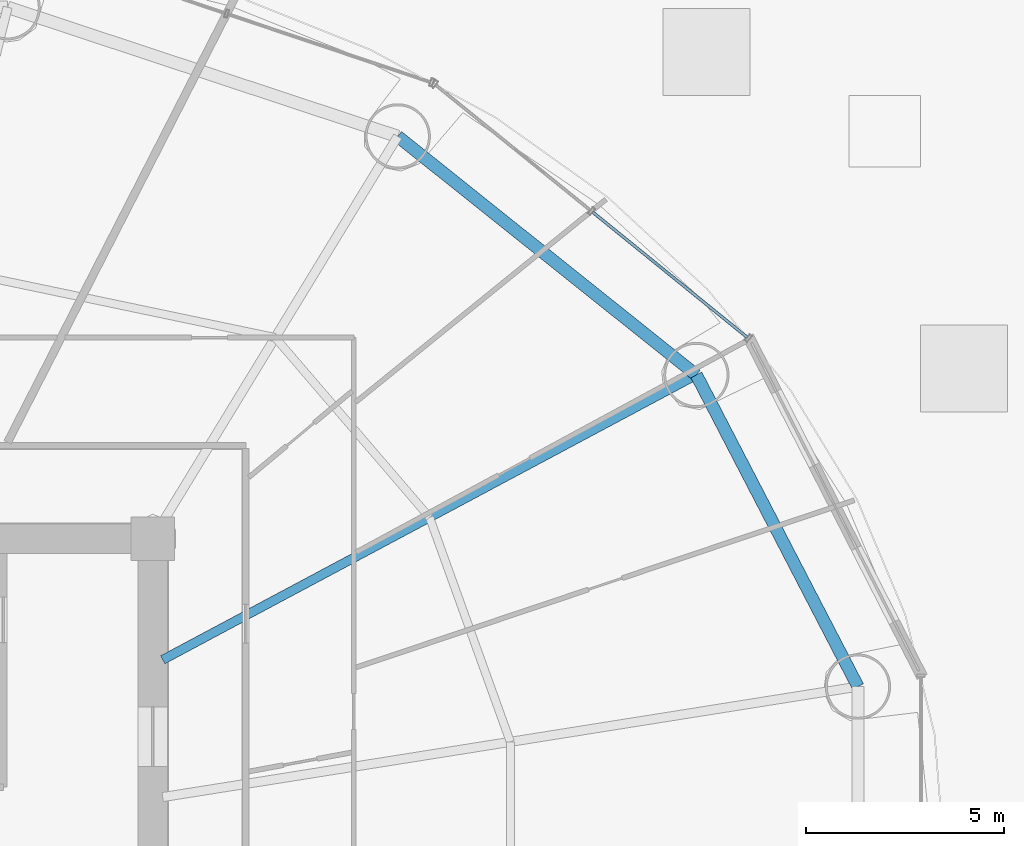
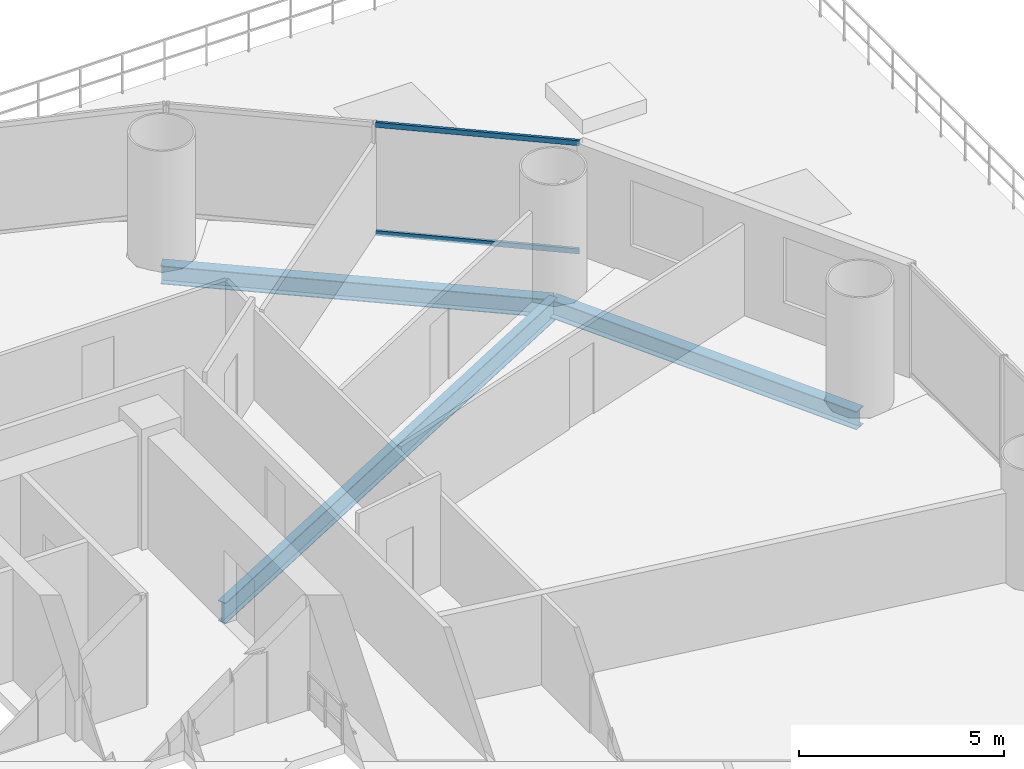
# One storey, part 27 of 37: 3 beams, 2 members, 1 element without a shape of its own.
"""IFC4 building model written with IfcOpenShell, lengths in metres."""

from ifc_helpers import new_model, si_unit, direction, frame, origin, origin_2d, place, context, subcontext, project, spatial, hollow_rectangle, i_section, extrude, source, transform, mapped, material, material_profile, profile_set, type_object, element, aggregate, save


model = new_model("IFC4")

# Units and contexts
model_context = context("Model", 3, precision=1e-05, world=origin(), true_north=direction((-0.2419218956, 0.970295726276)))
body_context = subcontext(model_context, "Body", "Model", "MODEL_VIEW")
ifc_project = project(units=[si_unit("LENGTHUNIT", "METRE"), si_unit("AREAUNIT", "SQUARE_METRE"), si_unit("VOLUMEUNIT", "CUBIC_METRE"), si_unit("PLANEANGLEUNIT", "RADIAN"), si_unit("MASSUNIT", "GRAM", prefix="KILO")], contexts=[model_context])

# Site, building, storey
site_placement = place(None, origin())
site = spatial("IfcSite", under=ifc_project, at=site_placement, CompositionType="ELEMENT")
building_placement = place(site_placement, origin())
building = spatial("IfcBuilding", under=site, at=building_placement, Name="Cobrevalo Terracotta Tower", CompositionType="ELEMENT")
storey_placement = place(building_placement, frame((0.0, 0.0, 24.0)))
storey = spatial("IfcBuildingStorey", under=building, at=storey_placement, Name="L05", CompositionType="ELEMENT", Elevation=24.0)

# Beams
ifc_material_1 = material(Name="Steel S355", Category="steel")
ifc_material_profile_1 = material_profile(ifc_material_1, i_section(OverallWidth=0.22998046875, OverallDepth=0.616943359375, WebThickness=0.01318359375, FlangeThickness=0.022216796875, at=origin_2d()), Name="W 610x140")
ifc_profile_set_1 = profile_set([ifc_material_profile_1], Name="Steel S355")
beam_type_1 = type_object("IfcBeamType", Name="Structural Beam W 610x140 (Steel S355)", PredefinedType="BEAM", material=ifc_profile_set_1)
beam_1_placement = place(storey_placement, frame((60.74072265625, 38.939208984375, -0.58837890625), z_axis=(-0.88218223571, -0.470908168329, 0.0), x_axis=(0.470908168329, -0.88218223571, 0.0)))
element("IfcBeam", 1, at=beam_1_placement, inside=storey, type_object=beam_type_1, Name="L05 radial floor girder 02", PredefinedType="BEAM", context=body_context, shape_type="SweptSolid", body=[
    extrude(i_section(OverallWidth=0.22998046875, OverallDepth=0.616943359375, WebThickness=0.01318359375, FlangeThickness=0.022216796875, at=origin_2d()), origin(), (0.0, 0.0, 1.0), 15.286865234375),
])
ifc_material_profile_2 = material_profile(ifc_material_1, i_section(OverallWidth=0.31201171875, OverallDepth=0.54296875, WebThickness=0.0126953125, FlangeThickness=0.020263671875, at=origin_2d()), Name="W 530x150")
ifc_profile_set_2 = profile_set([ifc_material_profile_2], Name="Steel S355")
beam_type_2 = type_object("IfcBeamType", Name="Structural Spandrel W 530x150 (Steel S355)", PredefinedType="SPANDREL", material=ifc_profile_set_2)
beam_2_placement = place(storey_placement, frame((64.824462890625, 31.062744140625, -0.551513671875), z_axis=(-0.460285838799, 0.88777077368, 0.0), x_axis=(-0.88777077368, -0.460285838799, 0.0)))
element("IfcBeam", 2, at=beam_2_placement, inside=storey, type_object=beam_type_2, Name="L05 perimeter ring spandrel 01", PredefinedType="SPANDREL", context=body_context, shape_type="SweptSolid", body=[
    extrude(i_section(OverallWidth=0.31201171875, OverallDepth=0.54296875, WebThickness=0.0126953125, FlangeThickness=0.020263671875, at=origin_2d()), origin(), (0.0, 0.0, 1.0), 8.8720703125),
])
beam_3_placement = place(storey_placement, frame((60.74072265625, 38.939208984375, -0.551513671875), z_axis=(-0.781292806807, 0.62416468182, 0.0), x_axis=(-0.62416468182, -0.781292806807, 0.0)))
element("IfcBeam", 3, at=beam_3_placement, inside=storey, type_object=beam_type_2, Name="L05 perimeter ring spandrel 02", PredefinedType="SPANDREL", context=body_context, shape_type="SweptSolid", body=[
    extrude(i_section(OverallWidth=0.31201171875, OverallDepth=0.54296875, WebThickness=0.0126953125, FlangeThickness=0.020263671875, at=origin_2d()), origin(), (0.0, 0.0, 1.0), 9.658203125),
])

# Curtain wall, members
ifc_material_2 = material(Name="Anodized aluminium", Category="aluminium")
curtain_wall_type = type_object("IfcCurtainWallType", Name="Lower-tower unitised acoustic low-E curtain wall CW-U1", PredefinedType="NOTDEFINED", material=ifc_material_2)
curtain_wall_placement = place(storey_placement, origin())
curtain_wall = element("IfcCurtainWall", 4, at=curtain_wall_placement, inside=storey, type_object=curtain_wall_type, Name="L05 curtain wall CW-L05-S02", PredefinedType="NOTDEFINED")
ifc_material_profile_3 = material_profile(ifc_material_2, hollow_rectangle(XDim=0.074951171875, YDim=0.14990234375, WallThickness=0.00439453125, at=origin_2d()), Name="CWT 75x150")
ifc_profile_set_3 = profile_set([ifc_material_profile_3], Name="Anodized aluminium")
member_type = type_object("IfcMemberType", Name="Tower unitised aluminium transom 75x150", PredefinedType="USERDEFINED", material=ifc_profile_set_3)
shared_shape = source(origin(), body_context, "Body", "SweptSolid", [
    extrude(hollow_rectangle(XDim=0.074951171875, YDim=0.14990234375, WallThickness=0.00439453125, at=origin_2d()), origin(), (0.0, 0.0, 1.0), 5.0234375),
])
member_1_placement = place(storey_placement, frame((62.025634765625, 39.8896484375, 0.050048828125), z_axis=(-0.777022991593, 0.629472215857, 0.0), x_axis=(-0.629472215857, -0.777022991593, 0.0)))
member_1 = element("IfcMember", 5, at=member_1_placement, type_object=member_type, Name="CW-L05-S02 transom B01-T1", ObjectType="TRANSOM", PredefinedType="USERDEFINED", context=body_context, shape_type="MappedRepresentation", body=[
    mapped(shared_shape, transform((0.0, 0.0, 0.0), scale=1.0)),
])
member_2_placement = place(storey_placement, frame((62.025634765625, 39.8896484375, 3.27001953125), z_axis=(-0.777022991593, 0.629472215857, 0.0), x_axis=(-0.629472215857, -0.777022991593, 0.0)))
member_2 = element("IfcMember", 6, at=member_2_placement, type_object=member_type, Name="CW-L05-S02 transom B01-T2", ObjectType="TRANSOM", PredefinedType="USERDEFINED", context=body_context, shape_type="MappedRepresentation", body=[
    mapped(shared_shape, transform((0.0, 0.0, 0.0), scale=1.0)),
])
aggregate(curtain_wall, [member_1, member_2])

save(model, "model.ifc")
